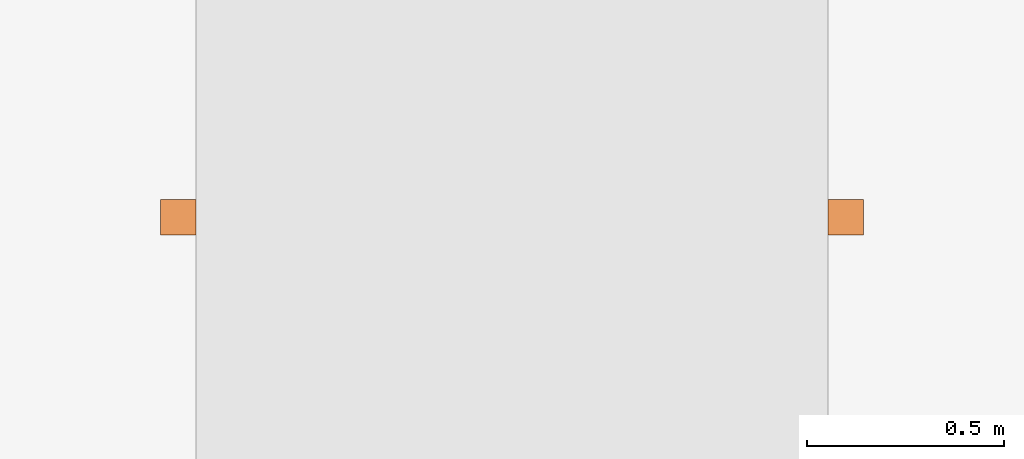
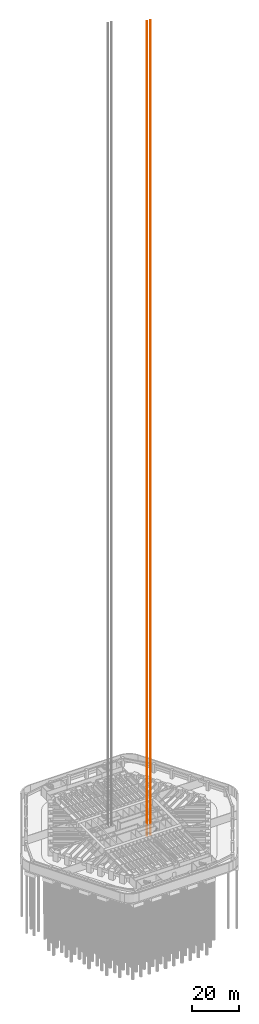
# One storey, part 16 of 17: 1 proxy.
"""IFC4 building model written with IfcOpenShell, lengths in metres."""

import ifcopenshell
import ifcopenshell.guid

model = None  # the IFC model being written
_history = None  # IfcOwnerHistory: only IFC2X3 demands one
_inside = {}  # id of a spatial element -> (the spatial element, [elements in it])
_under = {}  # id of a project, library or spatial element -> (it, [spatial elements below it])
_declared = {}  # id of a project -> (the project, [libraries it declares])
_typed = {}  # id of a type object -> (the type object, [elements of that type])
_made_of = {}  # id of a material, layer set ... -> (it, [elements and type objects made of it])


def new_model(schema):
    """Start an empty IFC model of exactly this schema.

    Asked for "IFC4X3", IfcOpenShell would pick the latest addendum, in which some entities
    have other attributes; the version numbers below select the first issue.
    IFC2X3 requires an IfcOwnerHistory on every rooted entity: one is made here for all.
    """
    global model, _history
    if schema == "IFC4X3":
        model = ifcopenshell.file(schema_version=(4, 3, 0, 0))
    else:
        model = ifcopenshell.file(schema=schema)
    _inside.clear()
    _under.clear()
    _declared.clear()
    _typed.clear()
    _made_of.clear()
    _history = None
    if model.schema == "IFC2X3":
        org = make("IfcOrganization", Name="unknown")
        user = make(
            "IfcPersonAndOrganization",
            ThePerson=make("IfcPerson", FamilyName="unknown"),
            TheOrganization=org,
        )
        app = make(
            "IfcApplication",
            ApplicationDeveloper=org,
            Version="unknown",
            ApplicationFullName="unknown",
            ApplicationIdentifier="unknown",
        )
        _history = make(
            "IfcOwnerHistory",
            OwningUser=user,
            OwningApplication=app,
            ChangeAction="ADDED",
            CreationDate=0,
        )
    return model


def make(cls, **values):
    """One entity of the class cls with the attributes given. An attribute that is None is left unset."""
    return model.create_entity(
        cls, **{name: value for name, value in values.items() if value is not None}
    )


def rooted(cls, **values):
    """An entity with a GlobalId (a new one), such as an element, a storey or a relation."""
    return make(cls, GlobalId=ifcopenshell.guid.new(), OwnerHistory=_history, **values)


def si_unit(unit_type, name, prefix=None):
    """IfcSIUnit, for example si_unit("LENGTHUNIT", "METRE", prefix="MILLI")."""
    return make("IfcSIUnit", UnitType=unit_type, Prefix=prefix, Name=name)


def assignment(units):
    """IfcUnitAssignment: the units of a project."""
    return None if units is None else make("IfcUnitAssignment", Units=units)


def point(xyz):
    """IfcCartesianPoint."""
    return None if xyz is None else make("IfcCartesianPoint", Coordinates=xyz)


def direction(xyz):
    """IfcDirection."""
    return None if xyz is None else make("IfcDirection", DirectionRatios=xyz)


def frame(location, z_axis=None, x_axis=None):
    """IfcAxis2Placement3D, a coordinate frame: its origin and axes. An axis left out is left unset."""
    return make(
        "IfcAxis2Placement3D",
        Location=point(location),
        Axis=direction(z_axis),
        RefDirection=direction(x_axis),
    )


def frame_2d(location, x_axis=None):
    """IfcAxis2Placement2D, a coordinate frame in the plane: its origin and x axis."""
    return make(
        "IfcAxis2Placement2D", Location=point(location), RefDirection=direction(x_axis)
    )


def origin():
    """The frame at (0, 0, 0) with its axes left unset."""
    return frame((0.0, 0.0, 0.0))


def origin_2d():
    """The frame at (0, 0) in the plane with its x axis left unset."""
    return frame_2d((0.0, 0.0))


def place(relative_to, where):
    """IfcLocalPlacement: puts the frame where relative to a parent placement (None: the world)."""
    return make(
        "IfcLocalPlacement", PlacementRelTo=relative_to, RelativePlacement=where
    )


def context(
    kind, dimensions, precision=None, world=None, true_north=None, identifier=None
):
    """IfcGeometricRepresentationContext, for example the 3D "Model" context."""
    return make(
        "IfcGeometricRepresentationContext",
        ContextIdentifier=identifier,
        ContextType=kind,
        CoordinateSpaceDimension=dimensions,
        Precision=precision,
        WorldCoordinateSystem=world,
        TrueNorth=true_north,
    )


def subcontext(parent, identifier, kind, view, scale=None):
    """IfcGeometricRepresentationSubContext, for example "Body" below "Model"."""
    return make(
        "IfcGeometricRepresentationSubContext",
        ContextIdentifier=identifier,
        ContextType=kind,
        ParentContext=parent,
        TargetScale=scale,
        TargetView=view,
    )


def project(units=None, contexts=None):
    """IfcProject with its units and contexts."""
    return rooted(
        "IfcProject",
        Name="project",
        RepresentationContexts=contexts,
        UnitsInContext=assignment(units),
    )


def spatial(cls, under=None, at=None, **own):
    """A site, building, storey or space (cls), placed at a placement, below another one or the project."""
    s = rooted(cls, ObjectPlacement=at, **own)
    if under is not None:
        _under.setdefault(under.id(), (under, []))[1].append(s)
    return s


def profile(cls, at=None, kind="AREA", **sizes):
    """A parametric profile (cls). Its sizes go by their IFC names, for example OverallWidth=200.0."""
    return make(cls, ProfileType=kind, Position=at, **sizes)


def rectangle(**sizes):
    """IfcRectangleProfileDef."""
    return profile("IfcRectangleProfileDef", **sizes)


def extrude(swept, where, along, depth):
    """IfcExtrudedAreaSolid: the profile swept, set in the frame where, extruded along a direction by depth."""
    return make(
        "IfcExtrudedAreaSolid",
        SweptArea=swept,
        Position=where,
        ExtrudedDirection=direction(along),
        Depth=depth,
    )


def shape(context_of_items, identifier, shape_type, items):
    """IfcShapeRepresentation: the items that make up one representation, for example the "Body"."""
    return make(
        "IfcShapeRepresentation",
        ContextOfItems=context_of_items,
        RepresentationIdentifier=identifier,
        RepresentationType=shape_type,
        Items=items,
    )


def material(Name=None, Category=None):
    """IfcMaterial."""
    return make("IfcMaterial", Name=Name, Category=Category)


def made_of(thing, what):
    """Note that an element or type object is made of a material, layer set ...; save() writes the relation."""
    if what is not None:
        _made_of.setdefault(what.id(), (what, []))[1].append(thing)
    return thing


def element(
    cls,
    number,
    at=None,
    inside=None,
    cuts=None,
    type_object=None,
    material=None,
    context=None,
    identifier="Body",
    shape_type=None,
    held_by="IfcProductDefinitionShape",
    body=None,
    shapes=None,
    **own,
):
    """One element of the class cls, such as IfcWall. Its Tag is "e" and its number.

    at: its placement. inside: the storey or other place that contains it. cuts: it is an
    opening in that element (IfcRelVoidsElement). A single representation is given by context,
    identifier, shape_type and body (its items); several are given by shapes. held_by: the class
    of the entity that holds the representations. save() writes the other relations.
    """
    e = rooted(cls, Tag="e%d" % number, ObjectPlacement=at, **own)
    if body is not None:
        shapes = [shape(context, identifier, shape_type, body)]
    if shapes is not None:
        e.Representation = make(held_by, Representations=shapes)
    if inside is not None:
        _inside.setdefault(inside.id(), (inside, []))[1].append(e)
    if cuts is not None:
        rooted(
            "IfcRelVoidsElement", RelatingBuildingElement=cuts, RelatedOpeningElement=e
        )
    if type_object is not None:
        _typed.setdefault(type_object.id(), (type_object, []))[1].append(e)
    return made_of(e, material)


def aggregate(whole, parts):
    """IfcRelAggregates: a whole, such as a stair, and the parts it consists of."""
    return rooted("IfcRelAggregates", RelatingObject=whole, RelatedObjects=parts)


def save(model, path):
    """Write the relations noted so far, then the file.

    IfcRelAggregates (storeys below a building ...), IfcRelContainedInSpatialStructure (elements
    in a storey), IfcRelDefinesByType, IfcRelAssociatesMaterial and IfcRelDeclares: one each for
    every whole, place, type object, material and project.
    """
    for whole, parts in _under.values():
        aggregate(whole, parts)
    for where, things in _inside.values():
        rooted(
            "IfcRelContainedInSpatialStructure",
            RelatedElements=things,
            RelatingStructure=where,
        )
    for kind, things in _typed.values():
        rooted("IfcRelDefinesByType", RelatedObjects=things, RelatingType=kind)
    for what, things in _made_of.values():
        rooted("IfcRelAssociatesMaterial", RelatedObjects=things, RelatingMaterial=what)
    for by, libraries in _declared.values():
        rooted("IfcRelDeclares", RelatingContext=by, RelatedDefinitions=libraries)
    model.write(path)


model = new_model("IFC4")

# Units and contexts
model_context = context("Model", 3, precision=1e-05, world=origin(), true_north=direction((0.0, 1.0)))
body_context = subcontext(model_context, "Body", "Model", "MODEL_VIEW")
ifc_project = project(units=[si_unit("LENGTHUNIT", "METRE"), si_unit("AREAUNIT", "SQUARE_METRE"), si_unit("VOLUMEUNIT", "CUBIC_METRE"), si_unit("PLANEANGLEUNIT", "RADIAN"), si_unit("MASSUNIT", "GRAM", prefix="KILO")], contexts=[model_context])

# Site, building, storey
site_placement = place(None, origin())
site = spatial("IfcSite", under=ifc_project, at=site_placement, CompositionType="ELEMENT")
building_placement = place(site_placement, origin())
building = spatial("IfcBuilding", under=site, at=building_placement, Name="Tarfa Lantern Tower", CompositionType="ELEMENT")
storey_placement = place(building_placement, frame((0.0, 0.0, -9.0)))
storey = spatial("IfcBuildingStorey", under=building, at=storey_placement, Name="B2", CompositionType="ELEMENT", Elevation=-9.0)

# Proxy
ifc_material = material(Name="Steel S355", Category="steel")
proxy_placement = place(storey_placement, frame((6.655029296875, -3.39990234375, -2.0), z_axis=(0.0, 0.0, 1.0), x_axis=(1.0, 0.0, 0.0)))
element("IfcBuildingElementProxy", 1, at=proxy_placement, inside=storey, material=ifc_material, Name="Guide rails FL2", PredefinedType="NOTDEFINED", context=body_context, shape_type="SweptSolid", body=[
    extrude(rectangle(XDim=0.090087890625, YDim=0.090087890625, at=origin_2d()), origin(), (0.0, 0.0, 1.0), 418.949951171875),
    extrude(rectangle(XDim=0.090087890625, YDim=0.090087890625, at=frame_2d((1.68994140625, 0.0))), origin(), (0.0, 0.0, 1.0), 418.949951171875),
])

save(model, "model.ifc")
